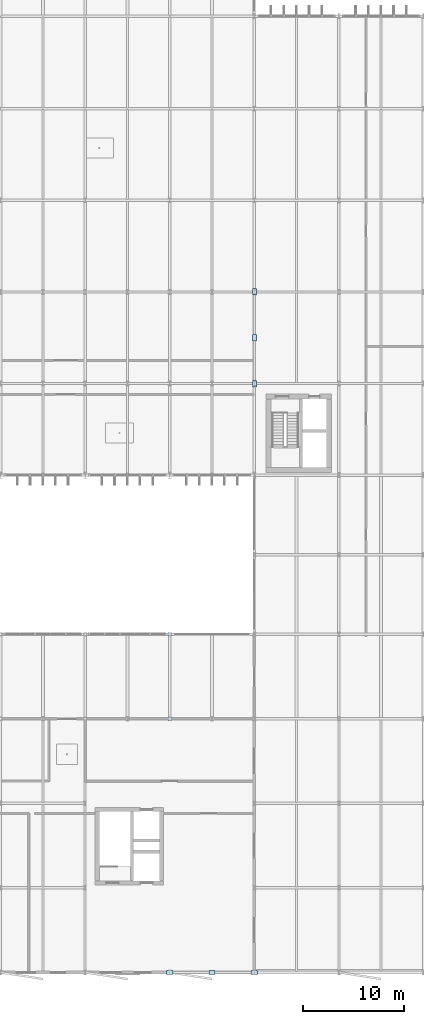
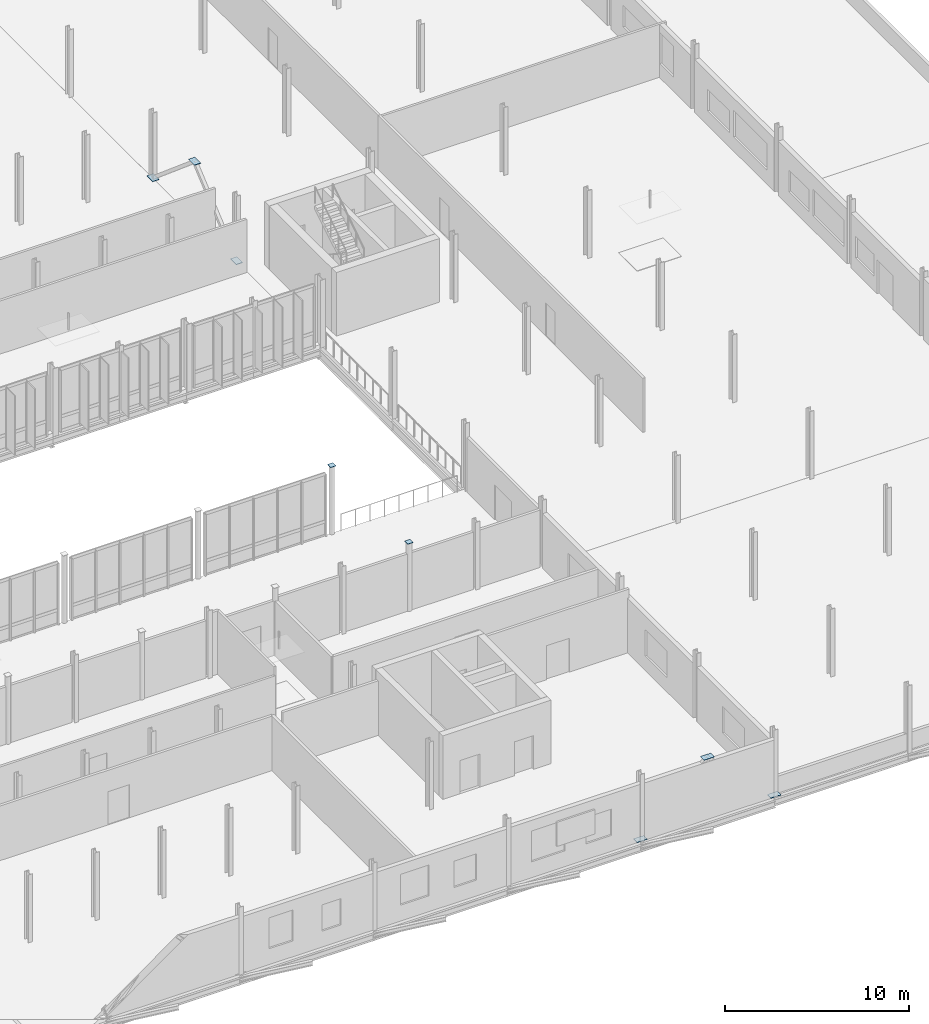
# One storey, part 100 of 139: 8 plates.
"""IFC4 building model written with IfcOpenShell, lengths in metres."""

from ifc_helpers import new_model, si_unit, derived_unit, direction, frame, origin, origin_2d, place, context, subcontext, project, spatial, rectangle, extrude, material, layer, layer_set, type_object, element, save


model = new_model("IFC4")

# Units and contexts
model_context = context("Model", 3, precision=1e-05, world=origin(), true_north=direction((0.0, 1.0)))
body_context = subcontext(model_context, "Body", "Model", "MODEL_VIEW")
ifc_project = project(units=[si_unit("LENGTHUNIT", "METRE"), si_unit("AREAUNIT", "SQUARE_METRE"), si_unit("VOLUMEUNIT", "CUBIC_METRE"), si_unit("PLANEANGLEUNIT", "RADIAN"), si_unit("MASSUNIT", "GRAM", prefix="KILO"), derived_unit("THERMALTRANSMITTANCEUNIT", [(si_unit("MASSUNIT", "GRAM", prefix="KILO"), 1), (si_unit("TIMEUNIT", "SECOND"), -3), (si_unit("THERMODYNAMICTEMPERATUREUNIT", "KELVIN"), -1)])], contexts=[model_context])

# Site, building, storey
site_placement = place(None, origin())
site = spatial("IfcSite", under=ifc_project, at=site_placement, CompositionType="ELEMENT")
building_placement = place(site_placement, origin())
building = spatial("IfcBuilding", under=site, at=building_placement, Name="Makaiwela Harbour Ferry Terminal", CompositionType="ELEMENT")
storey_placement = place(building_placement, frame((0.0, 0.0, 5.10009765625)))
storey = spatial("IfcBuildingStorey", under=building, at=storey_placement, Name="L01", CompositionType="ELEMENT", Elevation=5.10009765625)

# Plates
ifc_material = material(Name="Steel ASTM A572 Grade 50", Category="steel")
ifc_layer_1 = layer(ifc_material, 0.02197265625)
ifc_layer_set_1 = layer_set([ifc_layer_1], Name="Steel ASTM A572 Grade 50")
plate_type_1 = type_object("IfcPlateType", Name="STR-PLT-CAP2", PredefinedType="SHEET", material=ifc_layer_set_1)
for number, where, z_axis, x_axis, name in (
    (1, (130.199951171875, 25.199951171875, 4.5), (0.0, 0.0, 1.0), (1.0, 0.0, 0.0), "Welded End Cap EC-0057"),
    (2, (130.199951171875, 33.60009765625, 4.5), (0.0, 0.0, 1.0), (1.0, 0.0, 0.0), "Welded End Cap EC-0058"),
):
    element("IfcPlate", number, at=place(storey_placement, frame(where, z_axis=z_axis, x_axis=x_axis)), inside=storey, type_object=plate_type_1, Name=name, PredefinedType="SHEET", context=body_context, shape_type="SweptSolid", body=[
        extrude(rectangle(XDim=0.340087890625, YDim=0.340087890625, at=origin_2d()), origin(), (0.0, 0.0, 1.0), 0.02197265625),
    ])
ifc_layer_2 = layer(ifc_material, 0.028076171875)
ifc_layer_set_2 = layer_set([ifc_layer_2], Name="Steel ASTM A572 Grade 50")
plate_type_2 = type_object("IfcPlateType", Name="STR-PLT-GUS3", PredefinedType="USERDEFINED", material=ifc_layer_set_2)
for number, where, z_axis, x_axis, name in (
    (3, (134.39990234375, 0.0, 4.0302734375), (0.0, 0.0, 1.0), (1.0, 0.0, 0.0), "Truss Gusset Plate GP-121"),
    (4, (130.199951171875, 0.0, 0.03564453125), (0.0, 0.0, 1.0), (1.0, 0.0, 0.0), "Truss Gusset Plate GP-122"),
    (5, (138.60009765625, 0.0, 0.03564453125), (0.0, 0.0, 1.0), (1.0, 0.0, 0.0), "Truss Gusset Plate GP-123"),
    (6, (138.60009765625, 63.050048828125, 3.87939453125), (0.0, 0.0, 1.0), (0.0, 1.0, 0.0), "Truss Gusset Plate GP-127"),
    (7, (138.60009765625, 58.5, 0.03564453125), (0.0, 0.0, 1.0), (0.0, 1.0, 0.0), "Truss Gusset Plate GP-128"),
    (8, (138.60009765625, 67.60009765625, 0.03564453125), (0.0, 0.0, 1.0), (0.0, 1.0, 0.0), "Truss Gusset Plate GP-129"),
):
    element("IfcPlate", number, at=place(storey_placement, frame(where, z_axis=z_axis, x_axis=x_axis)), inside=storey, type_object=plate_type_2, Name=name, ObjectType="GUSSET PLATE", PredefinedType="USERDEFINED", context=body_context, shape_type="SweptSolid", body=[
        extrude(rectangle(XDim=0.639892578125, YDim=0.39990234375, at=origin_2d()), origin(), (0.0, 0.0, 1.0), 0.028076171875),
    ])

save(model, "model.ifc")
